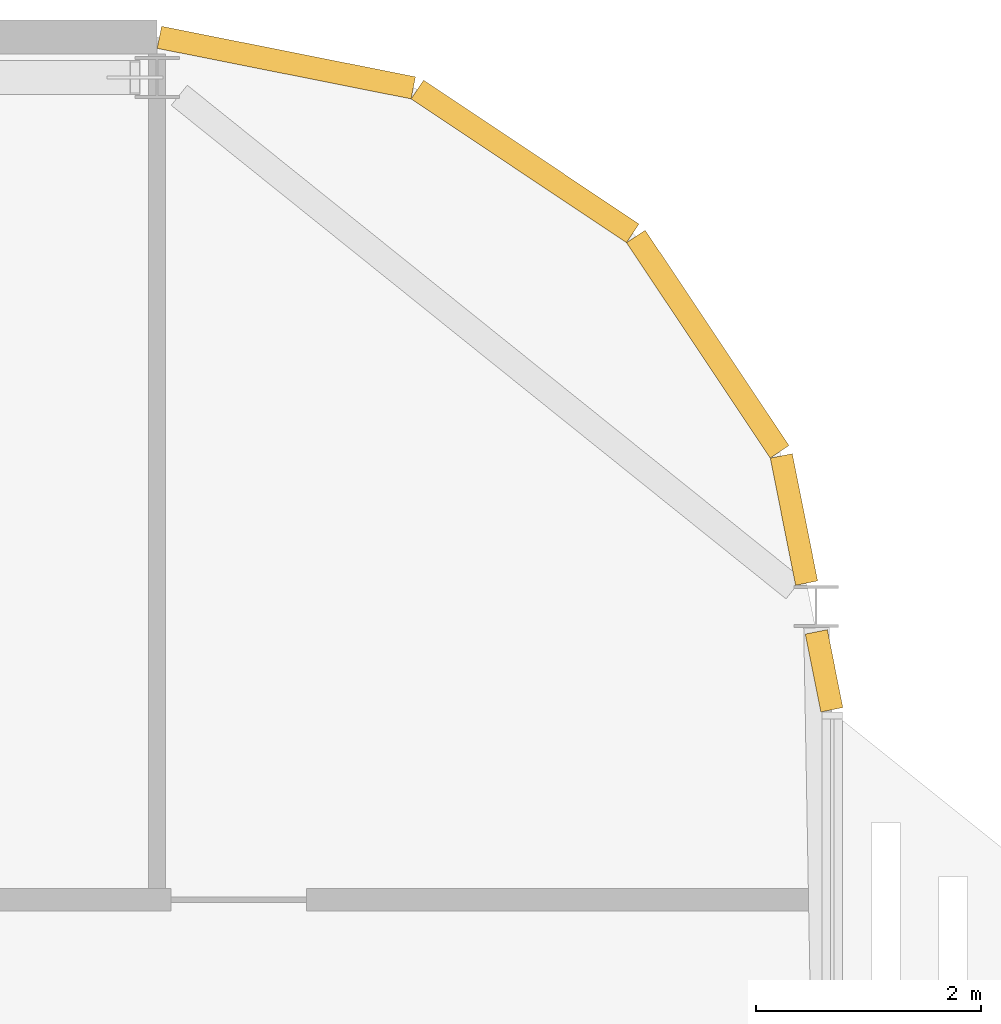
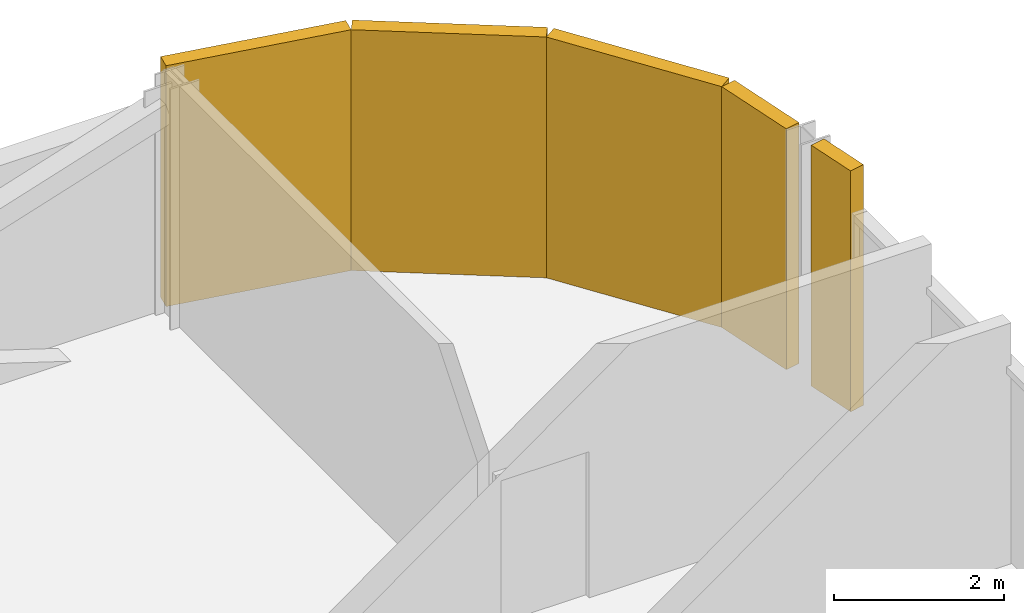
# One storey, part 25 of 25: 5 coverings.
"""IFC4 building model written with IfcOpenShell, lengths in metres."""

from ifc_helpers import new_model, si_unit, direction, frame, origin, origin_2d, place, context, subcontext, project, spatial, rectangle, extrude, material, layer, layer_set, type_object, element, save


model = new_model("IFC4")

# Units and contexts
model_context = context("Model", 3, precision=1e-05, world=origin(), true_north=direction((0.0, 1.0)))
body_context = subcontext(model_context, "Body", "Model", "MODEL_VIEW")
ifc_project = project(units=[si_unit("LENGTHUNIT", "METRE"), si_unit("AREAUNIT", "SQUARE_METRE"), si_unit("VOLUMEUNIT", "CUBIC_METRE"), si_unit("PLANEANGLEUNIT", "RADIAN"), si_unit("MASSUNIT", "GRAM", prefix="KILO")], contexts=[model_context])

# Site, building, storey
site_placement = place(None, origin())
site = spatial("IfcSite", under=ifc_project, at=site_placement, CompositionType="ELEMENT")
building_placement = place(site_placement, origin())
building = spatial("IfcBuilding", under=site, at=building_placement, Name="Mahtab Terrace Research Tower", CompositionType="ELEMENT")
storey_placement = place(building_placement, frame((0.0, 0.0, 278.5)))
storey = spatial("IfcBuildingStorey", under=building, at=storey_placement, Name="L68", CompositionType="ELEMENT", Elevation=278.5)

# Coverings
ifc_material = material(Name="Black aluminium cladding panel", Category="aluminium")
ifc_layer = layer(ifc_material, 0.199951171875)
ifc_layer_set = layer_set([ifc_layer], Name="Black metal corner cladding 200")
covering_type = type_object("IfcCoveringType", Name="Black metal corner cladding 200", PredefinedType="CLADDING", material=ifc_layer_set)
for number, where, z_axis, x_axis, name in (
    (1, (46.89306640625, 21.9375, 0.0), (0.0, 0.0, 1.0), (-0.555291490808, 0.831655794326, 0.0), "Corner cladding L68 0"),
    (2, (45.26953125, 23.56103515625, 0.0), (0.0, 0.0, 1.0), (-0.831655794326, 0.555291490808, 0.0), "Corner cladding L68 1"),
    (3, (43.14794921875, 24.439453125, 0.0), (0.0, 0.0, 1.0), (-0.980760981187, 0.195212442692, 0.0), "Corner cladding L68 2"),
):
    element("IfcCovering", number, at=place(storey_placement, frame(where, z_axis=z_axis, x_axis=x_axis)), inside=storey, type_object=covering_type, Name=name, PredefinedType="CLADDING", context=body_context, shape_type="SweptSolid", body=[
        extrude(rectangle(XDim=2.30126953125, YDim=0.199951171875, at=origin_2d()), origin(), (0.0, 0.0, 1.0), 3.4599609375),
    ])
covering_1_placement = place(storey_placement, frame((47.92724609375, 19.03369140625, 0.0), z_axis=(0.0, 0.0, 1.0), x_axis=(-0.195212442692, 0.980760981187, 0.0)))
element("IfcCovering", 4, at=covering_1_placement, inside=storey, type_object=covering_type, Name="Corner cladding L68 25", PredefinedType="CLADDING", context=body_context, shape_type="SweptSolid", body=[
    extrude(rectangle(XDim=0.705810546875, YDim=0.199951171875, at=origin_2d()), origin(), (0.0, 0.0, 1.0), 3.4599609375),
])
covering_2_placement = place(storey_placement, frame((47.659423828125, 20.37890625, 0.0), z_axis=(0.0, 0.0, 1.0), x_axis=(-0.195212442692, 0.980760981187, 0.0)))
element("IfcCovering", 5, at=covering_2_placement, inside=storey, type_object=covering_type, Name="Corner cladding L68 26", PredefinedType="CLADDING", context=body_context, shape_type="SweptSolid", body=[
    extrude(rectangle(XDim=1.153076171875, YDim=0.199951171875, at=origin_2d()), origin(), (0.0, 0.0, 1.0), 3.4599609375),
])

save(model, "model.ifc")
